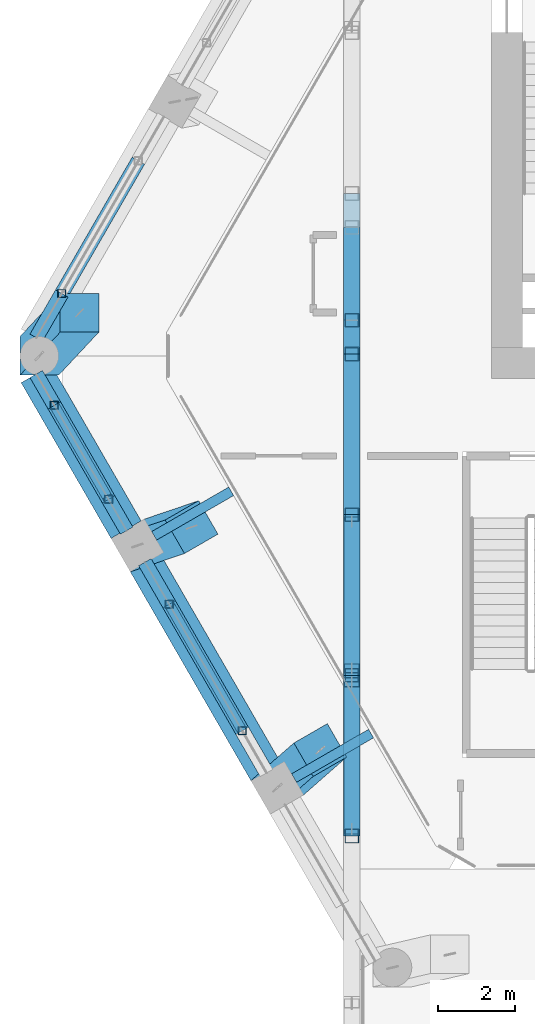
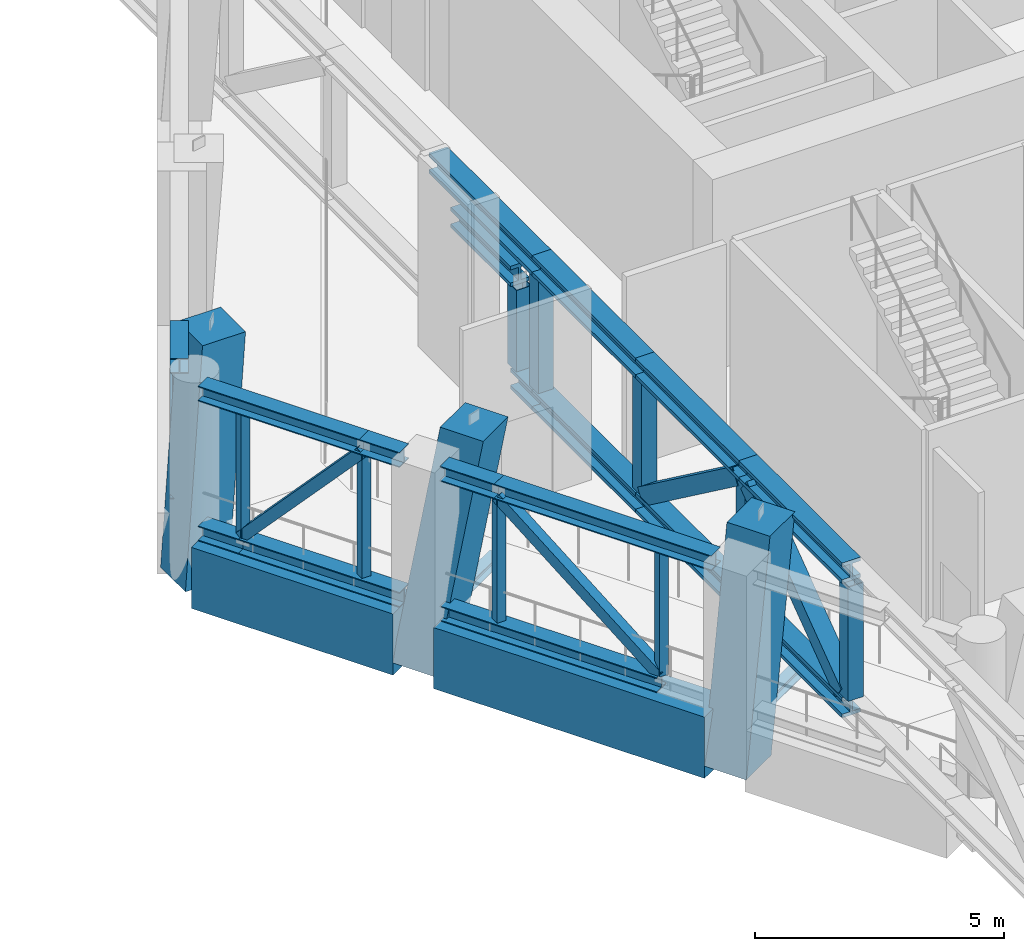
# One storey, part 3 of 22: 35 members, 4 beams.
"""IFC4 building model written with IfcOpenShell, lengths in metres."""

from ifc_helpers import new_model, si_unit, direction, frame, origin, origin_2d, place, context, subcontext, project, spatial, rectangle, hollow_rectangle, i_section, extrude, material, material_profile, profile_set, type_object, element, save


model = new_model("IFC4")

# Units and contexts
model_context = context("Model", 3, precision=1e-05, world=origin(), true_north=direction((0.0, 1.0)))
body_context = subcontext(model_context, "Body", "Model", "MODEL_VIEW")
ifc_project = project(units=[si_unit("LENGTHUNIT", "METRE"), si_unit("AREAUNIT", "SQUARE_METRE"), si_unit("VOLUMEUNIT", "CUBIC_METRE"), si_unit("PLANEANGLEUNIT", "RADIAN"), si_unit("MASSUNIT", "GRAM", prefix="KILO")], contexts=[model_context])

# Site, building, storey
site_placement = place(None, origin())
site = spatial("IfcSite", under=ifc_project, at=site_placement, CompositionType="ELEMENT")
building_placement = place(site_placement, origin())
building = spatial("IfcBuilding", under=site, at=building_placement, Name="Ostrander Bayou Hotel Tower", CompositionType="ELEMENT")
storey_placement = place(building_placement, frame((0.0, 0.0, 209.5)))
storey = spatial("IfcBuildingStorey", under=building, at=storey_placement, Name="L52", CompositionType="ELEMENT", Elevation=209.5)

# Members
ifc_material_1 = material(Name="Steel ASTM A992", Category="steel")
ifc_material_profile_1 = material_profile(ifc_material_1, i_section(OverallWidth=0.37255859375, OverallDepth=0.36767578125, WebThickness=0.014892578125, FlangeThickness=0.02392578125, at=origin_2d()))
ifc_profile_set_1 = profile_set([ifc_material_profile_1], Name="Steel ASTM A992")
member_type_1 = type_object("IfcMemberType", Name="BT5 belt truss chord W14x120", PredefinedType="CHORD", material=ifc_profile_set_1)
member_1_placement = place(storey_placement, frame((-17.632568359375, 3.93408203125, 0.183837890625), z_axis=(-0.499994358189, -0.866028661061, 0.0), x_axis=(0.866028661061, -0.499994358189, 0.0)))
element("IfcMember", 1, at=member_1_placement, inside=storey, type_object=member_type_1, Name="BT5 L52 NW-3B2", PredefinedType="CHORD", context=body_context, shape_type="SweptSolid", body=[
    extrude(i_section(OverallWidth=0.37255859375, OverallDepth=0.36767578125, WebThickness=0.014892578125, FlangeThickness=0.02392578125, at=origin_2d()), origin(), (0.0, 0.0, 1.0), 5.28515625),
])
member_2_placement = place(storey_placement, frame((-19.614501953125, 0.501220703125, 3.6162109375), z_axis=(-0.499994358189, -0.866028661061, 0.0), x_axis=(0.866028661061, -0.499994358189, 0.0)))
element("IfcMember", 2, at=member_2_placement, inside=storey, type_object=member_type_1, Name="BT5 L52 NW-3T2", PredefinedType="CHORD", context=body_context, shape_type="SweptSolid", body=[
    extrude(i_section(OverallWidth=0.37255859375, OverallDepth=0.36767578125, WebThickness=0.014892578125, FlangeThickness=0.02392578125, at=origin_2d()), origin(), (0.0, 0.0, 1.0), 1.3212890625),
])
member_3_placement = place(storey_placement, frame((-20.275146484375, -1.58251953125, 0.183837890625), z_axis=(0.500038560046, -0.866003139987, 0.0), x_axis=(0.866003139987, 0.500038560046, 0.0)))
element("IfcMember", 3, at=member_3_placement, inside=storey, type_object=member_type_1, Name="BT5 L52 SW-1B1", PredefinedType="CHORD", context=body_context, shape_type="SweptSolid", body=[
    extrude(i_section(OverallWidth=0.37255859375, OverallDepth=0.36767578125, WebThickness=0.014892578125, FlangeThickness=0.02392578125, at=origin_2d()), origin(), (0.0, 0.0, 1.0), 0.93603515625),
])
member_4_placement = place(storey_placement, frame((-19.80712890625, -2.39306640625, 0.183837890625), z_axis=(0.500025461358, -0.866010703163, 0.0), x_axis=(0.866010703163, 0.500025461358, 0.0)))
element("IfcMember", 4, at=member_4_placement, inside=storey, type_object=member_type_1, Name="BT5 L52 SW-1B2", PredefinedType="CHORD", context=body_context, shape_type="SweptSolid", body=[
    extrude(i_section(OverallWidth=0.37255859375, OverallDepth=0.36767578125, WebThickness=0.014892578125, FlangeThickness=0.02392578125, at=origin_2d()), origin(), (0.0, 0.0, 1.0), 3.742919921875),
])
member_5_placement = place(storey_placement, frame((-20.275146484375, -1.58251953125, 3.6162109375), z_axis=(0.499997217876, -0.866027010039, 0.0), x_axis=(0.866027010039, 0.499997217876, 0.0)))
element("IfcMember", 5, at=member_5_placement, inside=storey, type_object=member_type_1, Name="BT5 L52 SW-1T1", PredefinedType="CHORD", context=body_context, shape_type="SweptSolid", body=[
    extrude(i_section(OverallWidth=0.37255859375, OverallDepth=0.36767578125, WebThickness=0.014892578125, FlangeThickness=0.02392578125, at=origin_2d()), origin(), (0.0, 0.0, 1.0), 3.7431640625),
])
member_6_placement = place(storey_placement, frame((-18.403564453125, -4.82421875, 3.6162109375), z_axis=(0.500151536022, -0.865937896743, 0.0), x_axis=(0.865937896743, 0.500151536022, 0.0)))
element("IfcMember", 6, at=member_6_placement, inside=storey, type_object=member_type_1, Name="BT5 L52 SW-1T2", PredefinedType="CHORD", context=body_context, shape_type="SweptSolid", body=[
    extrude(i_section(OverallWidth=0.37255859375, OverallDepth=0.36767578125, WebThickness=0.014892578125, FlangeThickness=0.02392578125, at=origin_2d()), origin(), (0.0, 0.0, 1.0), 0.935791015625),
])
member_7_placement = place(storey_placement, frame((-17.465576171875, -6.44873046875, 0.183837890625), z_axis=(0.500017548753, -0.86601527177, 0.0), x_axis=(0.86601527177, 0.500017548753, 0.0)))
element("IfcMember", 7, at=member_7_placement, inside=storey, type_object=member_type_1, Name="BT5 L52 SW-2B1", PredefinedType="CHORD", context=body_context, shape_type="SweptSolid", body=[
    extrude(i_section(OverallWidth=0.37255859375, OverallDepth=0.36767578125, WebThickness=0.014892578125, FlangeThickness=0.02392578125, at=origin_2d()), origin(), (0.0, 0.0, 1.0), 5.036865234375),
])
member_8_placement = place(storey_placement, frame((-17.465576171875, -6.44873046875, 3.6162109375), z_axis=(0.499996560828, -0.866027389382, 0.0), x_axis=(0.866027389382, 0.499996560828, 0.0)))
element("IfcMember", 8, at=member_8_placement, inside=storey, type_object=member_type_1, Name="BT5 L52 SW-2T1", PredefinedType="CHORD", context=body_context, shape_type="SweptSolid", body=[
    extrude(i_section(OverallWidth=0.37255859375, OverallDepth=0.36767578125, WebThickness=0.014892578125, FlangeThickness=0.02392578125, at=origin_2d()), origin(), (0.0, 0.0, 1.0), 1.25927734375),
])
member_9_placement = place(storey_placement, frame((-16.8359375, -7.539306640625, 3.6162109375), z_axis=(0.500017548753, -0.86601527177, 0.0), x_axis=(0.86601527177, 0.500017548753, 0.0)))
element("IfcMember", 9, at=member_9_placement, inside=storey, type_object=member_type_1, Name="BT5 L52 SW-2T2", PredefinedType="CHORD", context=body_context, shape_type="SweptSolid", body=[
    extrude(i_section(OverallWidth=0.37255859375, OverallDepth=0.36767578125, WebThickness=0.014892578125, FlangeThickness=0.02392578125, at=origin_2d()), origin(), (0.0, 0.0, 1.0), 5.036865234375),
])
ifc_material_2 = material(Name="Steel ASTM A500 Gr C", Category="steel")
ifc_material_profile_2 = material_profile(ifc_material_2, hollow_rectangle(XDim=0.25390625, YDim=0.25390625, WallThickness=0.01171875, at=origin_2d()))
ifc_profile_set_2 = profile_set([ifc_material_profile_2], Name="Steel ASTM A500 Gr C")
member_type_2 = type_object("IfcMemberType", Name="BT6 belt truss diagonal HSS10x10x1/2", PredefinedType="BRACE", material=ifc_profile_set_2)
member_10_placement = place(storey_placement, frame((-19.80712890625, -2.39306640625, 0.367919921875), z_axis=(0.337744127465, -0.585015832545, 0.737350242445), x_axis=(0.866034968174, 0.499983433625, 0.0)))
element("IfcMember", 10, at=member_10_placement, inside=storey, type_object=member_type_2, Name="BT6 L52 SW-1D", PredefinedType="BRACE", context=body_context, shape_type="SweptSolid", body=[
    extrude(hollow_rectangle(XDim=0.25390625, YDim=0.25390625, WallThickness=0.01171875, at=origin_2d()), origin(), (0.0, 0.0, 1.0), 4.15576171875),
])
member_11_placement = place(storey_placement, frame((-14.947021484375, -10.810791015625, 0.367919921875), z_axis=(-0.388333955618, 0.672570118299, 0.629957280207), x_axis=(-0.866011232227, -0.500024545055, 0.0)))
element("IfcMember", 11, at=member_11_placement, inside=storey, type_object=member_type_2, Name="BT6 L52 SW-2D", PredefinedType="BRACE", context=body_context, shape_type="SweptSolid", body=[
    extrude(hollow_rectangle(XDim=0.25390625, YDim=0.25390625, WallThickness=0.01171875, at=origin_2d()), origin(), (0.0, 0.0, 1.0), 4.8642578125),
])
ifc_material_3 = material(Name="Steel ASTM A500 Gr C", Category="steel")
ifc_material_profile_3 = material_profile(ifc_material_3, hollow_rectangle(XDim=0.203125, YDim=0.203125, WallThickness=0.0087890625, at=origin_2d()))
ifc_profile_set_3 = profile_set([ifc_material_profile_3], Name="Steel ASTM A500 Gr C")
member_type_3 = type_object("IfcMemberType", Name="BT9 belt truss vertical HSS8x8x3/8", PredefinedType="POST", material=ifc_profile_set_3)
for number, where, z_axis, x_axis, name in (
    (12, (-19.614501953125, 0.501220703125, 0.367919921875), (0.0, 0.0, 1.0), (1.0, 0.0, 0.0), "BT9 L52 NW-3V2"),
    (13, (-19.80712890625, -2.39306640625, 0.367919921875), (0.0, 0.0, 1.0), (1.0, 0.0, 0.0), "BT9 L52 SW-1V1"),
    (14, (-18.403564453125, -4.82421875, 0.367919921875), (0.0, 0.0, 1.0), (1.0, 0.0, 0.0), "BT9 L52 SW-1V2"),
    (15, (-16.8359375, -7.539306640625, 0.367919921875), (0.0, 0.0, 1.0), (1.0, 0.0, 0.0), "BT9 L52 SW-2V1"),
    (16, (-14.947021484375, -10.810791015625, 0.367919921875), (0.0, 0.0, 1.0), (1.0, 0.0, 0.0), "BT9 L52 SW-2V2"),
):
    element("IfcMember", number, at=place(storey_placement, frame(where, z_axis=z_axis, x_axis=x_axis)), inside=storey, type_object=member_type_3, Name=name, PredefinedType="POST", context=body_context, shape_type="SweptSolid", body=[
        extrude(hollow_rectangle(XDim=0.203125, YDim=0.203125, WallThickness=0.0087890625, at=origin_2d()), origin(), (0.0, 0.0, 1.0), 3.064208984375),
    ])
ifc_material_4 = material(Name="Concrete f'c 60 MPa", Category="concrete")
ifc_material_profile_4 = material_profile(ifc_material_4, rectangle(XDim=1.0, YDim=1.0, at=origin_2d()))
ifc_profile_set_4 = profile_set([ifc_material_profile_4], Name="Concrete f'c 60 MPa")
member_type_4 = type_object("IfcMemberType", Name="KC3 kinked column 1000 x 1000 mm f'c 60 MPa", PredefinedType="STRUT", material=ifc_profile_set_4)
member_12_placement = place(storey_placement, frame((-20.194580078125, -1.11279296875, -1.199951171875), z_axis=(0.0, 0.0, 1.0), x_axis=(1.0, 0.0, 0.0)))
element("IfcMember", 17, at=member_12_placement, inside=storey, type_object=member_type_4, Name="KC3 L52 K1", PredefinedType="STRUT", context=body_context, shape_type="SweptSolid", body=[
    extrude(rectangle(XDim=1.0, YDim=1.0, at=origin_2d()), origin(), (0.198890260499, 0.212903195715, 0.956616377412), 5.226806640625),
])
member_13_placement = place(storey_placement, frame((-17.6572265625, -6.0166015625, -1.199951171875), z_axis=(0.0, 0.0, 1.0), x_axis=(-0.5, 0.866025403784, 0.0)))
element("IfcMember", 18, at=member_13_placement, inside=storey, type_object=member_type_4, Name="KC3 L52 SW1", PredefinedType="STRUT", context=body_context, shape_type="SweptSolid", body=[
    extrude(rectangle(XDim=1.0, YDim=1.0, at=origin_2d()), origin(), (-0.05539652918, -0.278094843585, 0.958954890767), 5.214111328125),
])
member_14_placement = place(storey_placement, frame((-14.039306640625, -12.283203125, -1.199951171875), z_axis=(0.0, 0.0, 1.0), x_axis=(-0.5, 0.866025403784, 0.0)))
element("IfcMember", 19, at=member_14_placement, inside=storey, type_object=member_type_4, Name="KC3 L52 SW2", PredefinedType="STRUT", context=body_context, shape_type="SweptSolid", body=[
    extrude(rectangle(XDim=1.0, YDim=1.0, at=origin_2d()), origin(), (0.055324329436, -0.278111419924, 0.95895425161), 5.214111328125),
])

# Beams
ifc_material_5 = material(Name="Steel ASTM A992", Category="steel")
ifc_material_profile_5 = material_profile(ifc_material_5, i_section(OverallWidth=0.25390625, OverallDepth=0.25341796875, WebThickness=0.008544921875, FlangeThickness=0.01416015625, at=origin_2d()))
ifc_profile_set_5 = profile_set([ifc_material_profile_5], Name="Steel ASTM A992")
beam_type_1 = type_object("IfcBeamType", Name="LB2 loggia bracket W10x49", PredefinedType="BEAM", material=ifc_profile_set_5)
beam_1_placement = place(storey_placement, frame((-17.224365234375, -5.7666015625, -0.4267578125), z_axis=(0.866053019151, 0.499952165731, 0.0), x_axis=(-0.499952165731, 0.866053019151, 0.0)))
element("IfcBeam", 20, at=beam_1_placement, inside=storey, type_object=beam_type_1, Name="LB2 L52 SW1", PredefinedType="BEAM", context=body_context, shape_type="SweptSolid", body=[
    extrude(i_section(OverallWidth=0.25390625, OverallDepth=0.25341796875, WebThickness=0.008544921875, FlangeThickness=0.01416015625, at=origin_2d()), origin(), (0.0, 0.0, 1.0), 2.300048828125),
])
beam_2_placement = place(storey_placement, frame((-13.606201171875, -12.033203125, -0.4267578125), z_axis=(0.86602648383, 0.499998129301, 0.0), x_axis=(-0.499998129301, 0.86602648383, 0.0)))
element("IfcBeam", 21, at=beam_2_placement, inside=storey, type_object=beam_type_1, Name="LB2 L52 SW2", PredefinedType="BEAM", context=body_context, shape_type="SweptSolid", body=[
    extrude(i_section(OverallWidth=0.25390625, OverallDepth=0.25341796875, WebThickness=0.008544921875, FlangeThickness=0.01416015625, at=origin_2d()), origin(), (0.0, 0.0, 1.0), 2.2998046875),
])
ifc_material_6 = material(Name="Concrete f'c 60 MPa", Category="concrete")
ifc_material_profile_6 = material_profile(ifc_material_6, rectangle(XDim=0.89990234375, YDim=1.5, at=origin_2d()))
ifc_profile_set_6 = profile_set([ifc_material_profile_6], Name="Concrete f'c 60 MPa")
beam_type_2 = type_object("IfcBeamType", Name="SPB3 belt spandrel beam 900 x 1500 mm f'c 60 MPa", PredefinedType="SPANDREL", material=ifc_profile_set_6)
beam_3_placement = place(storey_placement, frame((-20.275146484375, -1.58251953125, -0.75), z_axis=(0.500028081597, -0.86600919026, 0.0), x_axis=(0.86600919026, 0.500028081597, 0.0)))
element("IfcBeam", 22, at=beam_3_placement, inside=storey, type_object=beam_type_2, Name="SP3 L52 SW-1", PredefinedType="SPANDREL", context=body_context, shape_type="SweptSolid", body=[
    extrude(rectangle(XDim=0.89990234375, YDim=1.5, at=origin_2d()), origin(), (0.0, 0.0, 1.0), 4.678955078125),
])
beam_4_placement = place(storey_placement, frame((-17.465576171875, -6.44873046875, -0.75), z_axis=(0.500013351051, -0.866017695414, 0.0), x_axis=(0.866017695414, 0.500013351051, 0.0)))
element("IfcBeam", 23, at=beam_4_placement, inside=storey, type_object=beam_type_2, Name="SP3 L52 SW-2", PredefinedType="SPANDREL", context=body_context, shape_type="SweptSolid", body=[
    extrude(rectangle(XDim=0.89990234375, YDim=1.5, at=origin_2d()), origin(), (0.0, 0.0, 1.0), 6.296142578125),
])

# Members
ifc_material_7 = material(Name="Steel ASTM A992", Category="steel")
ifc_material_profile_7 = material_profile(ifc_material_7, i_section(OverallWidth=0.43212890625, OverallDepth=0.497802734375, WebThickness=0.0556640625, FlangeThickness=0.0888671875, at=origin_2d()))
ifc_profile_set_7 = profile_set([ifc_material_profile_7], Name="Steel ASTM A992")
member_type_5 = type_object("IfcMemberType", Name="TT1 through-truss chord W14x500", PredefinedType="CHORD", material=ifc_profile_set_7)
member_15_placement = place(storey_placement, frame((-12.110107421875, 2.21044921875, 2.748779296875), z_axis=(0.0, -1.0, 0.0), x_axis=(1.0, 0.0, 0.0)))
element("IfcMember", 24, at=member_15_placement, inside=storey, type_object=member_type_5, Name="TT1 SB4A B7 (over the passage)", PredefinedType="CHORD", context=body_context, shape_type="SweptSolid", body=[
    extrude(i_section(OverallWidth=0.43212890625, OverallDepth=0.497802734375, WebThickness=0.0556640625, FlangeThickness=0.0888671875, at=origin_2d()), origin(), (0.0, 0.0, 1.0), 2.400146484375),
])
member_16_placement = place(storey_placement, frame((-12.110107421875, -0.189697265625, 0.248779296875), z_axis=(0.0, -1.0, 0.0), x_axis=(1.0, 0.0, 0.0)))
element("IfcMember", 25, at=member_16_placement, inside=storey, type_object=member_type_5, Name="TT1 SB4A B7", PredefinedType="CHORD", context=body_context, shape_type="SweptSolid", body=[
    extrude(i_section(OverallWidth=0.43212890625, OverallDepth=0.497802734375, WebThickness=0.0556640625, FlangeThickness=0.0888671875, at=origin_2d()), origin(), (0.0, 0.0, 1.0), 0.877197265625),
])
for number, where, z_axis, x_axis, name in (
    (26, (-12.110107421875, 3.087890625, 3.551025390625), (0.0, -1.0, 0.0), (1.0, 0.0, 0.0), "TT1 SB4A T7"),
    (27, (-12.110107421875, -1.06689453125, 0.248779296875), (0.0, -1.0, 0.0), (1.0, 0.0, 0.0), "TT1 SB4A B8"),
    (28, (-12.110107421875, -1.06689453125, 3.551025390625), (0.0, -1.0, 0.0), (1.0, 0.0, 0.0), "TT1 SB4A T8"),
    (29, (-12.110107421875, -5.2216796875, 0.248779296875), (0.0, -1.0, 0.0), (1.0, 0.0, 0.0), "TT1 SB4A B9"),
    (30, (-12.110107421875, -5.2216796875, 3.551025390625), (0.0, -1.0, 0.0), (1.0, 0.0, 0.0), "TT1 SB4A T9"),
):
    element("IfcMember", number, at=place(storey_placement, frame(where, z_axis=z_axis, x_axis=x_axis)), inside=storey, type_object=member_type_5, Name=name, PredefinedType="CHORD", context=body_context, shape_type="SweptSolid", body=[
        extrude(i_section(OverallWidth=0.43212890625, OverallDepth=0.497802734375, WebThickness=0.0556640625, FlangeThickness=0.0888671875, at=origin_2d()), origin(), (0.0, 0.0, 1.0), 4.15478515625),
    ])
for number, where, z_axis, x_axis, name in (
    (31, (-12.110107421875, -9.37646484375, 0.248779296875), (0.0, -1.0, 0.0), (1.0, 0.0, 0.0), "TT1 SB4A B10"),
    (32, (-12.110107421875, -9.37646484375, 3.551025390625), (0.0, -1.0, 0.0), (1.0, 0.0, 0.0), "TT1 SB4A T10"),
):
    element("IfcMember", number, at=place(storey_placement, frame(where, z_axis=z_axis, x_axis=x_axis)), inside=storey, type_object=member_type_5, Name=name, PredefinedType="CHORD", context=body_context, shape_type="SweptSolid", body=[
        extrude(i_section(OverallWidth=0.43212890625, OverallDepth=0.497802734375, WebThickness=0.0556640625, FlangeThickness=0.0888671875, at=origin_2d()), origin(), (0.0, 0.0, 1.0), 4.154541015625),
    ])
ifc_material_8 = material(Name="Steel ASTM A500 Gr C", Category="steel")
ifc_material_profile_8 = material_profile(ifc_material_8, hollow_rectangle(XDim=0.355712890625, YDim=0.355712890625, WallThickness=0.0146484375, at=origin_2d()))
ifc_profile_set_8 = profile_set([ifc_material_profile_8], Name="Steel ASTM A500 Gr C")
member_type_6 = type_object("IfcMemberType", Name="TT2 through-truss post HSS14x14x5/8", PredefinedType="POST", material=ifc_profile_set_8)
for number, where, z_axis, x_axis, name in (
    (33, (-12.110107421875, -1.06689453125, 0.497802734375), (0.0, 0.0, 1.0), (1.0, 0.0, 0.0), "TT2 SB4A P8"),
    (34, (-12.110107421875, -5.2216796875, 0.497802734375), (0.0, 0.0, 1.0), (1.0, 0.0, 0.0), "TT2 SB4A P9"),
    (35, (-12.110107421875, -9.37646484375, 0.497802734375), (0.0, 0.0, 1.0), (1.0, 0.0, 0.0), "TT2 SB4A P10"),
    (36, (-12.110107421875, -13.531005859375, 0.497802734375), (0.0, 0.0, 1.0), (1.0, 0.0, 0.0), "TT2 SB4A P11"),
):
    element("IfcMember", number, at=place(storey_placement, frame(where, z_axis=z_axis, x_axis=x_axis)), inside=storey, type_object=member_type_6, Name=name, PredefinedType="POST", context=body_context, shape_type="SweptSolid", body=[
        extrude(hollow_rectangle(XDim=0.355712890625, YDim=0.355712890625, WallThickness=0.0146484375, at=origin_2d()), origin(), (0.0, 0.0, 1.0), 2.804443359375),
    ])
member_17_placement = place(storey_placement, frame((-12.110107421875, -0.189697265625, 0.497802734375), z_axis=(0.0, 0.0, 1.0), x_axis=(1.0, 0.0, 0.0)))
element("IfcMember", 37, at=member_17_placement, inside=storey, type_object=member_type_6, Name="TT2 SB4A KN7b", PredefinedType="POST", context=body_context, shape_type="SweptSolid", body=[
    extrude(hollow_rectangle(XDim=0.355712890625, YDim=0.355712890625, WallThickness=0.0146484375, at=origin_2d()), origin(), (0.0, 0.0, 1.0), 2.002197265625),
])
ifc_material_9 = material(Name="Steel ASTM A572 Gr 50", Category="steel")
ifc_material_profile_9 = material_profile(ifc_material_9, hollow_rectangle(XDim=0.406494140625, YDim=0.406494140625, WallThickness=0.017822265625, at=origin_2d()))
ifc_profile_set_9 = profile_set([ifc_material_profile_9], Name="Steel ASTM A572 Gr 50")
member_type_7 = type_object("IfcMemberType", Name="TT3 through-truss diagonal box 16 x 16 x 3/4", PredefinedType="BRACE", material=ifc_profile_set_9)
for number, where, z_axis, x_axis, name in (
    (38, (-12.110107421875, -5.3994140625, 0.497802734375), (0.0, -0.804537023237, 0.593902498935), (1.0, 0.0, 0.0), "TT3 SB4A D9"),
    (39, (-12.110107421875, -13.353271484375, 0.497802734375), (0.0, 0.804537023237, 0.593902498935), (-1.0, 0.0, 0.0), "TT3 SB4A D10"),
):
    element("IfcMember", number, at=place(storey_placement, frame(where, z_axis=z_axis, x_axis=x_axis)), inside=storey, type_object=member_type_7, Name=name, PredefinedType="BRACE", context=body_context, shape_type="SweptSolid", body=[
        extrude(hollow_rectangle(XDim=0.406494140625, YDim=0.406494140625, WallThickness=0.017822265625, at=origin_2d()), origin(), (0.0, 0.0, 1.0), 4.72216796875),
    ])

save(model, "model.ifc")
